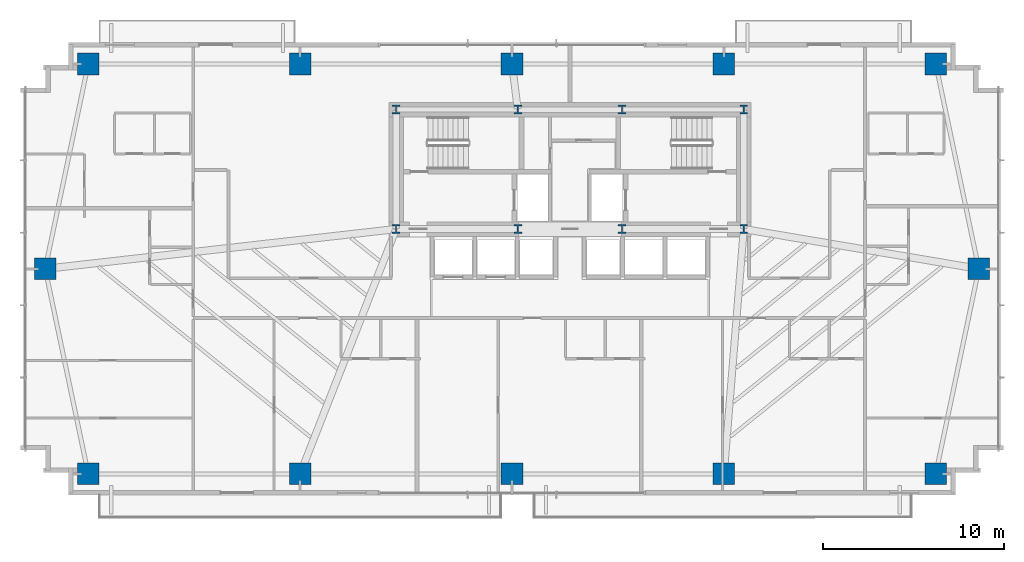
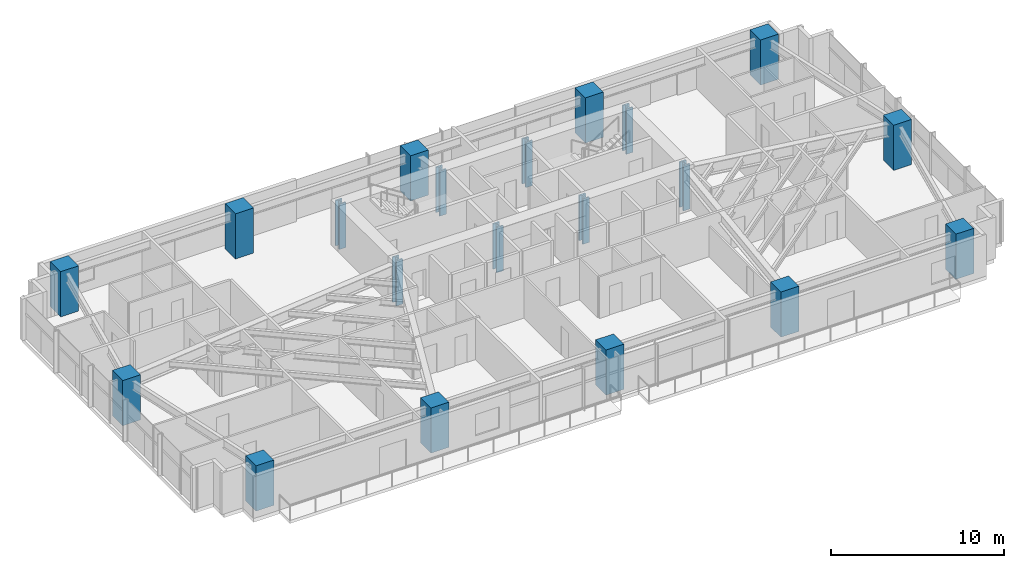
# One storey, part 1 of 25: 20 columns.
"""IFC4 building model written with IfcOpenShell, lengths in metres."""

from ifc_helpers import new_model, si_unit, direction, frame, origin, origin_2d, place, context, subcontext, project, spatial, rectangle, i_section, extrude, source, transform, mapped, material, material_profile, profile_set, type_object, type_shapes, element, save


model = new_model("IFC4")

# Units and contexts
model_context = context("Model", 3, precision=1e-05, world=origin(), true_north=direction((0.0, 1.0)))
body_context = subcontext(model_context, "Body", "Model", "MODEL_VIEW")
ifc_project = project(units=[si_unit("LENGTHUNIT", "METRE"), si_unit("AREAUNIT", "SQUARE_METRE"), si_unit("VOLUMEUNIT", "CUBIC_METRE"), si_unit("PLANEANGLEUNIT", "RADIAN"), si_unit("MASSUNIT", "GRAM", prefix="KILO")], contexts=[model_context])

# Site, building, storey
site_placement = place(None, origin())
site = spatial("IfcSite", under=ifc_project, at=site_placement, CompositionType="ELEMENT")
building_placement = place(site_placement, origin())
building = spatial("IfcBuilding", under=site, at=building_placement, Name="Astriad Promenade Condominiums", CompositionType="ELEMENT")
storey_placement = place(building_placement, frame((0.0, 0.0, 61.39990234375)))
storey = spatial("IfcBuildingStorey", under=building, at=storey_placement, Name="L17", CompositionType="ELEMENT", Elevation=61.39990234375)

# Columns
ifc_material_1 = material(Name="Steel ASTM A992 Grade 50", Category="steel")
ifc_material_profile_1 = material_profile(ifc_material_1, i_section(OverallWidth=0.43701171875, OverallDepth=0.51416015625, WebThickness=0.060546875, FlangeThickness=0.096923828125, FilletRadius=0.017822265625, at=origin_2d()), Name="W14X550")
ifc_profile_set_1 = profile_set([ifc_material_profile_1], Name="Steel ASTM A992 Grade 50")
column_type_1 = type_object("IfcColumnType", Name="STEEL CORE PILASTER W14X550", PredefinedType="PILASTER", material=ifc_profile_set_1)
shared_shape_1 = source(origin(), body_context, "Body", "SweptSolid", [
    extrude(i_section(OverallWidth=0.43701171875, OverallDepth=0.51416015625, WebThickness=0.060546875, FlangeThickness=0.096923828125, FilletRadius=0.017822265625, at=origin_2d()), origin(), (0.0, 0.0, 1.0), 3.19580078125),
])
type_shapes(column_type_1, [shared_shape_1])
for number, where, z_axis, x_axis, name in (
    (1, (26.39990234375, 17.39990234375, 0.002197265625), (0.0, 0.0, 1.0), (1.0, 0.0, 0.0), "Core Pilaster Column CP1 (L17)"),
    (2, (33.1201171875, 17.39990234375, 0.002197265625), (0.0, 0.0, 1.0), (1.0, 0.0, 0.0), "Core Pilaster Column CP2 (L17)"),
    (3, (38.8798828125, 17.39990234375, 0.002197265625), (0.0, 0.0, 1.0), (1.0, 0.0, 0.0), "Core Pilaster Column CP3 (L17)"),
    (4, (45.60009765625, 17.39990234375, 0.002197265625), (0.0, 0.0, 1.0), (1.0, 0.0, 0.0), "Core Pilaster Column CP4 (L17)"),
    (5, (26.39990234375, 24.0, 0.002197265625), (0.0, 0.0, 1.0), (1.0, 0.0, 0.0), "Core Pilaster Column CP5 (L17)"),
    (6, (33.1201171875, 24.0, 0.002197265625), (0.0, 0.0, 1.0), (1.0, 0.0, 0.0), "Core Pilaster Column CP6 (L17)"),
    (7, (38.8798828125, 24.0, 0.002197265625), (0.0, 0.0, 1.0), (1.0, 0.0, 0.0), "Core Pilaster Column CP7 (L17)"),
    (8, (45.60009765625, 24.0, 0.002197265625), (0.0, 0.0, 1.0), (1.0, 0.0, 0.0), "Core Pilaster Column CP8 (L17)"),
):
    element("IfcColumn", number, at=place(storey_placement, frame(where, z_axis=z_axis, x_axis=x_axis)), inside=storey, type_object=column_type_1, Name=name, PredefinedType="PILASTER", context=body_context, shape_type="MappedRepresentation", body=[
        mapped(shared_shape_1, transform((0.0, 0.0, 0.0), scale=1.0)),
    ])
ifc_material_2 = material(Name="Concrete C80/95", Category="concrete")
ifc_material_profile_2 = material_profile(ifc_material_2, rectangle(XDim=1.199951171875, YDim=1.199951171875, at=origin_2d()), Name="RC-COL-1200X1200")
ifc_profile_set_2 = profile_set([ifc_material_profile_2], Name="Concrete C80/95")
column_type_2 = type_object("IfcColumnType", Name="CONCRETE MEGA COLUMN 1200X1200", PredefinedType="COLUMN", material=ifc_profile_set_2)
shared_shape_2 = source(origin(), body_context, "Body", "SweptSolid", [
    extrude(rectangle(XDim=1.199951171875, YDim=1.199951171875, at=origin_2d()), origin(), (0.0, 0.0, 1.0), 3.19580078125),
])
type_shapes(column_type_2, [shared_shape_2])
for number, where, z_axis, x_axis, name in (
    (9, (9.39990234375, 3.8798828125, 0.002197265625), (0.0, 0.0, 1.0), (1.0, 0.0, 0.0), "Perimeter Column PC01 (L17)"),
    (10, (21.10009765625, 3.8798828125, 0.002197265625), (0.0, 0.0, 1.0), (1.0, 0.0, 0.0), "Perimeter Column PC02 (L17)"),
    (11, (32.800048828125, 3.8798828125, 0.002197265625), (0.0, 0.0, 1.0), (1.0, 0.0, 0.0), "Perimeter Column PC03 (L17)"),
    (12, (44.5, 3.8798828125, 0.002197265625), (0.0, 0.0, 1.0), (1.0, 0.0, 0.0), "Perimeter Column PC04 (L17)"),
    (13, (56.199951171875, 3.8798828125, 0.002197265625), (0.0, 0.0, 1.0), (1.0, 0.0, 0.0), "Perimeter Column PC05 (L17)"),
    (14, (9.39990234375, 26.52001953125, 0.002197265625), (0.0, 0.0, 1.0), (1.0, 0.0, 0.0), "Perimeter Column PC06 (L17)"),
    (15, (21.10009765625, 26.52001953125, 0.002197265625), (0.0, 0.0, 1.0), (1.0, 0.0, 0.0), "Perimeter Column PC07 (L17)"),
    (16, (32.800048828125, 26.52001953125, 0.002197265625), (0.0, 0.0, 1.0), (1.0, 0.0, 0.0), "Perimeter Column PC08 (L17)"),
    (17, (44.5, 26.52001953125, 0.002197265625), (0.0, 0.0, 1.0), (1.0, 0.0, 0.0), "Perimeter Column PC09 (L17)"),
    (18, (56.199951171875, 26.52001953125, 0.002197265625), (0.0, 0.0, 1.0), (1.0, 0.0, 0.0), "Perimeter Column PC10 (L17)"),
    (19, (7.02001953125, 15.199951171875, 0.002197265625), (0.0, 0.0, 1.0), (1.0, 0.0, 0.0), "Perimeter Column PC11 (L17)"),
    (20, (58.580078125, 15.199951171875, 0.002197265625), (0.0, 0.0, 1.0), (1.0, 0.0, 0.0), "Perimeter Column PC12 (L17)"),
):
    element("IfcColumn", number, at=place(storey_placement, frame(where, z_axis=z_axis, x_axis=x_axis)), inside=storey, type_object=column_type_2, Name=name, PredefinedType="COLUMN", context=body_context, shape_type="MappedRepresentation", body=[
        mapped(shared_shape_2, transform((0.0, 0.0, 0.0), scale=1.0)),
    ])

save(model, "model.ifc")
